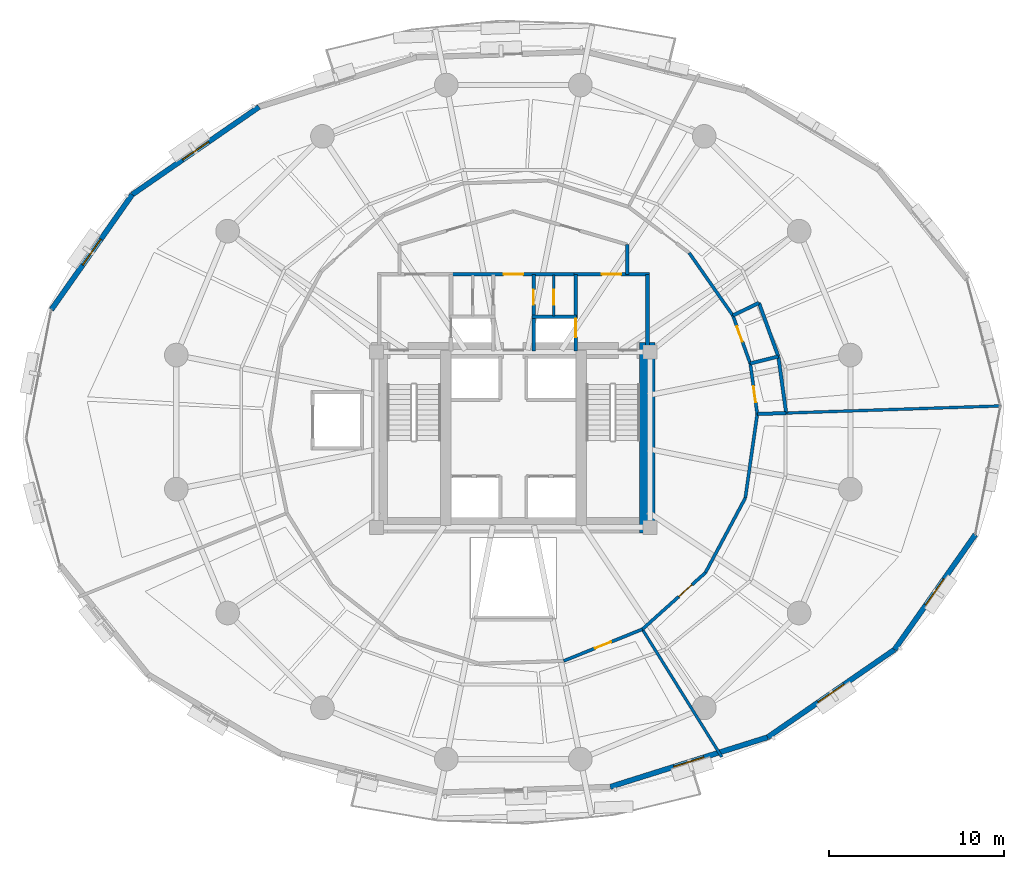
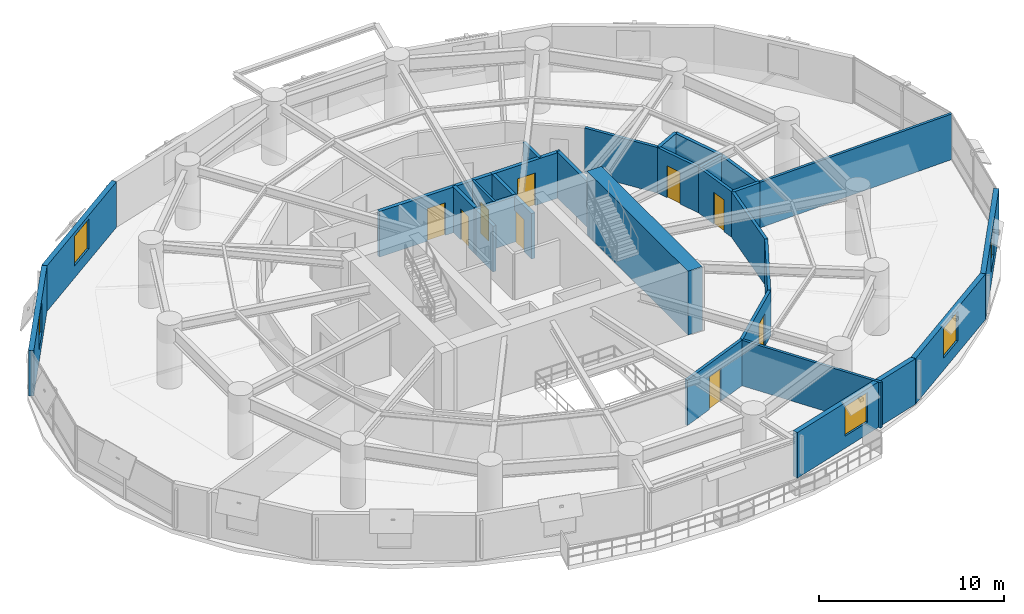
# One storey, part 11 of 15: 28 walls, 9 doors, 5 windows, 14 openings.
"""IFC4 building model written with IfcOpenShell, lengths in metres."""

from ifc_helpers import new_model, si_unit, direction, frame, frame_2d, origin, place, context, subcontext, project, spatial, rectangle, extrude, material, layer, layer_set, type_object, element, fill, save


model = new_model("IFC4")

# Units and contexts
model_context = context("Model", 3, precision=1e-05, world=origin(), true_north=direction((0.0, 1.0)))
body_context = subcontext(model_context, "Body", "Model", "MODEL_VIEW")
ifc_project = project(units=[si_unit("LENGTHUNIT", "METRE"), si_unit("AREAUNIT", "SQUARE_METRE"), si_unit("VOLUMEUNIT", "CUBIC_METRE"), si_unit("PLANEANGLEUNIT", "RADIAN"), si_unit("MASSUNIT", "GRAM", prefix="KILO"), si_unit("THERMODYNAMICTEMPERATUREUNIT", "KELVIN"), si_unit("POWERUNIT", "WATT")], contexts=[model_context])

# Site, building, storey
site_placement = place(None, origin())
site = spatial("IfcSite", under=ifc_project, at=site_placement, CompositionType="ELEMENT")
building_placement = place(site_placement, origin())
building = spatial("IfcBuilding", under=site, at=building_placement, Name="Ocrelia Relay Tower", CompositionType="ELEMENT")
storey_placement = place(building_placement, frame((0.0, 0.0, 38.39990234375)))
storey = spatial("IfcBuildingStorey", under=building, at=storey_placement, Name="L08", CompositionType="ELEMENT", Elevation=38.39990234375)

# Walls
ifc_material_1 = material(Name="Concrete C70/85", Category="concrete")
ifc_layer_1 = layer(ifc_material_1, 0.89990234375, Name="Concrete C70/85")
ifc_layer_set_1 = layer_set([ifc_layer_1], Name="Concrete C70/85")
wall_type_1 = type_object("IfcWallType", Name="CW-CORE-900", PredefinedType="SHEAR", material=ifc_layer_set_1)
wall_1_placement = place(storey_placement, frame((41.637939453125, 19.662109375, 0.0), z_axis=(0.0, 0.0, 1.0), x_axis=(0.0, 1.0, 0.0)))
element("IfcWall", 1, at=wall_1_placement, inside=storey, type_object=wall_type_1, Name="L08 Core Shear Wall E", PredefinedType="SHEAR", context=body_context, shape_type="SweptSolid", body=[
    extrude(rectangle(XDim=10.8759765625, YDim=0.89990234375, at=frame_2d((5.43798828125, 0.0))), origin(), (0.0, 0.0, 1.0), 4.2001953125),
])
ifc_material_2 = material(Name="Gypsum Fireboard Partition EI60", Category="gypsum")
ifc_layer_2 = layer(ifc_material_2, 0.179931640625, Name="Gypsum Fireboard Partition EI60")
ifc_layer_set_2 = layer_set([ifc_layer_2], Name="Gypsum Fireboard Partition EI60")
wall_type_2 = type_object("IfcWallType", Name="W-CORR-EI60-180", PredefinedType="PARTITIONING", material=ifc_layer_set_2)
wall_2_placement = place(storey_placement, frame((40.5, 36.122802734375, 0.0), z_axis=(0.0, 0.0, 1.0), x_axis=(0.0, -1.0, 0.0)))
element("IfcWall", 2, at=wall_2_placement, inside=storey, type_object=wall_type_2, Name="L08 Smoke Lobby East Return", PredefinedType="PARTITIONING", context=body_context, shape_type="SweptSolid", body=[
    extrude(rectangle(XDim=1.69287109375, YDim=0.179931640625, at=frame_2d((0.846435546875, 0.0))), origin(), (0.0, 0.0, 1.0), 3.0),
])

# Wall, opening, door
wall_3_placement = place(storey_placement, frame((47.912353515625, 26.46142578125, 0.0), z_axis=(0.0, 0.0, 1.0), x_axis=(-0.137415192003, 0.990513536004, 0.0)))
wall_3 = element("IfcWall", 3, at=wall_3_placement, inside=storey, type_object=wall_type_2, Name="L08 Staff Toilet Corridor Wall", PredefinedType="PARTITIONING", context=body_context, shape_type="SweptSolid", body=[
    extrude(rectangle(XDim=2.91015625, YDim=0.179931640625, at=frame_2d((1.455078125, 0.0))), origin(), (0.0, 0.0, 1.0), 3.0),
])
opening_1_placement = place(wall_3_placement, frame((0.6689453125, 0.0, 0.0)))
opening_1 = element("IfcOpeningElement", 4, at=opening_1_placement, cuts=wall_3, Name="Opening D-WC92", PredefinedType="OPENING", context=body_context, shape_type="SweptSolid", body=[
    extrude(rectangle(XDim=0.919921875, YDim=2.10009765625, at=frame_2d((0.4599609375, 1.050048828125))), frame((0.0, 0.10009765625, 0.0), z_axis=(0.0, -1.0, 0.0), x_axis=(1.0, 0.0, 0.0)), (0.0, 0.0, 1.0), 0.199951171875),
])
ifc_material_3 = material(Name="Laminate washroom door", Category="wood")
door_type_1 = type_object("IfcDoorType", Name="DR-WC-920", OperationType="NOTDEFINED", PredefinedType="DOOR", material=ifc_material_3)
door_1_placement = place(opening_1_placement, origin())
door_1 = element("IfcDoor", 5, at=door_1_placement, inside=storey, type_object=door_type_1, Name="L08 Staff Toilet Door", OperationType="SINGLE_SWING_RIGHT", OverallHeight=2.10009765625, OverallWidth=0.919921875, PredefinedType="DOOR", context=body_context, shape_type="SweptSolid", body=[
    extrude(rectangle(XDim=0.919921875, YDim=2.10009765625, at=frame_2d((0.4599609375, 1.050048828125))), frame((0.0, 0.02490234375, 0.0), z_axis=(0.0, -1.0, 0.0), x_axis=(1.0, 0.0, 0.0)), (0.0, 0.0, 1.0), 0.050048828125),
])
fill(opening_1, door_1)

wall_4_placement = place(storey_placement, frame((47.512451171875, 29.343994140625, 0.0), z_axis=(0.0, 0.0, 1.0), x_axis=(-0.340435968469, 0.940267701972, 0.0)))
wall_4 = element("IfcWall", 6, at=wall_4_placement, inside=storey, type_object=wall_type_2, Name="L08 Accessible Toilet Corridor Wall", PredefinedType="PARTITIONING", context=body_context, shape_type="SweptSolid", body=[
    extrude(rectangle(XDim=2.91015625, YDim=0.179931640625, at=frame_2d((1.455078125, 0.0))), origin(), (0.0, 0.0, 1.0), 3.0),
])
opening_2_placement = place(wall_4_placement, frame((1.321044921875, 0.0, 0.0)))
opening_2 = element("IfcOpeningElement", 7, at=opening_2_placement, cuts=wall_4, Name="Opening D-WC92", PredefinedType="OPENING", context=body_context, shape_type="SweptSolid", body=[
    extrude(rectangle(XDim=0.919921875, YDim=2.10009765625, at=frame_2d((0.4599609375, 1.050048828125))), frame((0.0, 0.10009765625, 0.0), z_axis=(0.0, -1.0, 0.0), x_axis=(1.0, 0.0, 0.0)), (0.0, 0.0, 1.0), 0.199951171875),
])
door_2_placement = place(opening_2_placement, origin())
door_2 = element("IfcDoor", 8, at=door_2_placement, inside=storey, type_object=door_type_1, Name="L08 Accessible Toilet Door", OperationType="SINGLE_SWING_LEFT", OverallHeight=2.10009765625, OverallWidth=0.919921875, PredefinedType="DOOR", context=body_context, shape_type="SweptSolid", body=[
    extrude(rectangle(XDim=0.919921875, YDim=2.10009765625, at=frame_2d((0.4599609375, 1.050048828125))), frame((0.0, 0.02490234375, 0.0), z_axis=(0.0, -1.0, 0.0), x_axis=(1.0, 0.0, 0.0)), (0.0, 0.0, 1.0), 0.050048828125),
])
fill(opening_2, door_2)

# Wall
wall_5_placement = place(storey_placement, frame((46.521728515625, 32.080322265625, 0.0), z_axis=(0.0, 0.0, 1.0), x_axis=(-0.572144766155, 0.820152648329, 0.0)))
element("IfcWall", 9, at=wall_5_placement, inside=storey, type_object=wall_type_2, Name="L08 Operations Control Office Corridor Partition 1", PredefinedType="PARTITIONING", context=body_context, shape_type="SweptSolid", body=[
    extrude(rectangle(XDim=4.35498046875, YDim=0.179931640625, at=frame_2d((2.177490234375, 0.0))), origin(), (0.0, 0.0, 1.0), 3.0),
])

# Wall, opening, door
wall_6_placement = place(storey_placement, frame((36.870361328125, 12.379150390625, 0.0), z_axis=(0.0, 0.0, 1.0), x_axis=(0.927834482528, 0.37299218897, 0.0)))
wall_6 = element("IfcWall", 10, at=wall_6_placement, inside=storey, type_object=wall_type_2, Name="L08 Hardware Testing Laboratory Corridor Partition 5", PredefinedType="PARTITIONING", context=body_context, shape_type="SweptSolid", body=[
    extrude(rectangle(XDim=4.83447265625, YDim=0.179931640625, at=frame_2d((2.417236328125, 0.0))), origin(), (0.0, 0.0, 1.0), 3.0),
])
opening_3_placement = place(wall_6_placement, frame((1.917236328125, 0.0, 0.0)))
opening_3 = element("IfcOpeningElement", 11, at=opening_3_placement, cuts=wall_6, Name="Opening D-RM100", PredefinedType="OPENING", context=body_context, shape_type="SweptSolid", body=[
    extrude(rectangle(XDim=1.0, YDim=2.14990234375, at=frame_2d((0.5, 1.074951171875))), frame((0.0, 0.10009765625, 0.0), z_axis=(0.0, -1.0, 0.0), x_axis=(1.0, 0.0, 0.0)), (0.0, 0.0, 1.0), 0.199951171875),
])
ifc_material_4 = material(Name="Acoustic oak veneer fire door", Category="wood")
door_type_2 = type_object("IfcDoorType", Name="DR-ROOM-FD60-1000", OperationType="NOTDEFINED", PredefinedType="DOOR", material=ifc_material_4)
door_3_placement = place(opening_3_placement, origin())
door_3 = element("IfcDoor", 12, at=door_3_placement, inside=storey, type_object=door_type_2, Name="L08 Hardware Testing Laboratory Entrance Door", OperationType="SINGLE_SWING_RIGHT", OverallHeight=2.14990234375, OverallWidth=1.0, PredefinedType="DOOR", context=body_context, shape_type="SweptSolid", body=[
    extrude(rectangle(XDim=1.0, YDim=2.14990234375, at=frame_2d((0.5, 1.074951171875))), frame((0.0, 0.02490234375, 0.0), z_axis=(0.0, -1.0, 0.0), x_axis=(1.0, 0.0, 0.0)), (0.0, 0.0, 1.0), 0.050048828125),
])
fill(opening_3, door_3)

wall_7_placement = place(storey_placement, frame((41.35595703125, 14.182373046875, 0.0), z_axis=(0.0, 0.0, 1.0), x_axis=(0.744302787757, 0.667842316821, 0.0)))
wall_7 = element("IfcWall", 13, at=wall_7_placement, inside=storey, type_object=wall_type_2, Name="L08 Telemetry Operations Studio Corridor Partition 1", PredefinedType="PARTITIONING", context=body_context, shape_type="SweptSolid", body=[
    extrude(rectangle(XDim=4.834228515625, YDim=0.179931640625, at=frame_2d((2.4169921875, 0.0))), origin(), (0.0, 0.0, 1.0), 3.0),
])
opening_4_placement = place(wall_7_placement, frame((2.80078125, 0.0, 0.0)))
opening_4 = element("IfcOpeningElement", 14, at=opening_4_placement, cuts=wall_7, Name="Opening D-RM100", PredefinedType="OPENING", context=body_context, shape_type="SweptSolid", body=[
    extrude(rectangle(XDim=1.0, YDim=2.14990234375, at=frame_2d((0.5, 1.074951171875))), frame((0.0, 0.10009765625, 0.0), z_axis=(0.0, -1.0, 0.0), x_axis=(1.0, 0.0, 0.0)), (0.0, 0.0, 1.0), 0.199951171875),
])
door_4_placement = place(opening_4_placement, origin())
door_4 = element("IfcDoor", 15, at=door_4_placement, inside=storey, type_object=door_type_2, Name="L08 Telemetry Operations Studio Entrance Door", OperationType="SINGLE_SWING_LEFT", OverallHeight=2.14990234375, OverallWidth=1.0, PredefinedType="DOOR", context=body_context, shape_type="SweptSolid", body=[
    extrude(rectangle(XDim=1.0, YDim=2.14990234375, at=frame_2d((0.5, 1.074951171875))), frame((0.0, 0.02490234375, 0.0), z_axis=(0.0, -1.0, 0.0), x_axis=(1.0, 0.0, 0.0)), (0.0, 0.0, 1.0), 0.050048828125),
])
fill(opening_4, door_4)

# Walls
wall_8_placement = place(storey_placement, frame((44.9541015625, 17.410888671875, 0.0), z_axis=(0.0, 0.0, 1.0), x_axis=(0.471031159724, 0.882116571984, 0.0)))
element("IfcWall", 16, at=wall_8_placement, inside=storey, type_object=wall_type_2, Name="L08 Telemetry Operations Studio Corridor Partition 2", PredefinedType="PARTITIONING", context=body_context, shape_type="SweptSolid", body=[
    extrude(rectangle(XDim=4.834228515625, YDim=0.179931640625, at=frame_2d((2.4169921875, 0.0))), origin(), (0.0, 0.0, 1.0), 3.0),
])
wall_9_placement = place(storey_placement, frame((47.231201171875, 21.67529296875, 0.0), z_axis=(0.0, 0.0, 1.0), x_axis=(0.140898144809, 0.990024097075, 0.0)))
element("IfcWall", 17, at=wall_9_placement, inside=storey, type_object=wall_type_2, Name="L08 Telemetry Operations Studio Corridor Partition 3", PredefinedType="PARTITIONING", context=body_context, shape_type="SweptSolid", body=[
    extrude(rectangle(XDim=4.83447265625, YDim=0.179931640625, at=frame_2d((2.417236328125, 0.0))), origin(), (0.0, 0.0, 1.0), 3.0),
])

# Wall, opening, window
ifc_material_5 = material(Name="Precast concrete C40/50 with oxide terracotta", Category="masonry")
ifc_layer_3 = layer(ifc_material_5, 0.300048828125, Name="Precast concrete C40/50 with oxide terracotta")
ifc_layer_set_3 = layer_set([ifc_layer_3], Name="Precast concrete C40/50 with oxide terracotta")
wall_type_3 = type_object("IfcWallType", Name="W-EXT-TERR-300", PredefinedType="SOLIDWALL", material=ifc_layer_set_3)
wall_10_placement = place(storey_placement, frame((19.49609375, 43.975341796875, 0.0), z_axis=(0.0, 0.0, 1.0), x_axis=(-0.82276952824, -0.568375143193, 0.0)))
wall_10 = element("IfcWall", 18, at=wall_10_placement, inside=storey, type_object=wall_type_3, Name="L08 Oxide Terracotta Facade Wall 07", PredefinedType="SOLIDWALL", context=body_context, shape_type="SweptSolid", body=[
    extrude(rectangle(XDim=8.792724609375, YDim=0.300048828125, at=frame_2d((4.396484375, 0.0))), origin(), (0.0, 0.0, 1.0), 3.0),
])
opening_5_placement = place(wall_10_placement, frame((3.49609375, 0.0, 0.800048828125)))
opening_5 = element("IfcOpeningElement", 19, at=opening_5_placement, cuts=wall_10, Name="Opening W-02", PredefinedType="OPENING", context=body_context, shape_type="SweptSolid", body=[
    extrude(rectangle(XDim=1.800048828125, YDim=1.949951171875, at=frame_2d((0.89990234375, 0.97509765625))), frame((0.0, 0.16015625, 0.0), z_axis=(0.0, -1.0, 0.0), x_axis=(1.0, 0.0, 0.0)), (0.0, 0.0, 1.0), 0.320068359375),
])
ifc_material_6 = material(Name="Clear double-glazed low-E glass", Category="glass")
window_type = type_object("IfcWindowType", Name="WIN-Z1-1800x2100", PartitioningType="DOUBLE_PANEL_VERTICAL", PredefinedType="WINDOW", material=ifc_material_6)
window_1_placement = place(opening_5_placement, origin())
window_1 = element("IfcWindow", 20, at=window_1_placement, inside=storey, type_object=window_type, Name="L08 Facade Module Window 07", OverallHeight=1.949951171875, OverallWidth=1.800048828125, PartitioningType="SINGLE_PANEL", PredefinedType="WINDOW", context=body_context, shape_type="SweptSolid", body=[
    extrude(rectangle(XDim=1.800048828125, YDim=1.949951171875, at=frame_2d((0.89990234375, 0.97509765625))), frame((0.0, 0.030029296875, 0.0), z_axis=(0.0, -1.0, 0.0), x_axis=(1.0, 0.0, 0.0)), (0.0, 0.0, 1.0), 0.06005859375),
])
fill(opening_5, window_1)

wall_11_placement = place(storey_placement, frame((12.26171875, 38.977783203125, 0.0), z_axis=(0.0, 0.0, 1.0), x_axis=(-0.574985163885, -0.818163835251, 0.0)))
wall_11 = element("IfcWall", 21, at=wall_11_placement, inside=storey, type_object=wall_type_3, Name="L08 Oxide Terracotta Facade Wall 08", PredefinedType="SOLIDWALL", context=body_context, shape_type="SweptSolid", body=[
    extrude(rectangle(XDim=8.021484375, YDim=0.300048828125, at=frame_2d((4.0107421875, 0.0))), origin(), (0.0, 0.0, 1.0), 3.0),
])
opening_6_placement = place(wall_11_placement, frame((3.111083984375, 0.0, 0.800048828125)))
opening_6 = element("IfcOpeningElement", 22, at=opening_6_placement, cuts=wall_11, Name="Opening W-02", PredefinedType="OPENING", context=body_context, shape_type="SweptSolid", body=[
    extrude(rectangle(XDim=1.800048828125, YDim=1.949951171875, at=frame_2d((0.89990234375, 0.97509765625))), frame((0.0, 0.16015625, 0.0), z_axis=(0.0, -1.0, 0.0), x_axis=(1.0, 0.0, 0.0)), (0.0, 0.0, 1.0), 0.320068359375),
])
window_2_placement = place(opening_6_placement, origin())
window_2 = element("IfcWindow", 23, at=window_2_placement, inside=storey, type_object=window_type, Name="L08 Facade Module Window 08", OverallHeight=1.949951171875, OverallWidth=1.800048828125, PartitioningType="SINGLE_PANEL", PredefinedType="WINDOW", context=body_context, shape_type="SweptSolid", body=[
    extrude(rectangle(XDim=1.800048828125, YDim=1.949951171875, at=frame_2d((0.89990234375, 0.97509765625))), frame((0.0, 0.030029296875, 0.0), z_axis=(0.0, -1.0, 0.0), x_axis=(1.0, 0.0, 0.0)), (0.0, 0.0, 1.0), 0.06005859375),
])
fill(opening_6, window_2)

wall_12_placement = place(storey_placement, frame((39.520263671875, 5.1953125, 0.0), z_axis=(0.0, 0.0, 1.0), x_axis=(0.953813909123, 0.300398113782, 0.0)))
wall_12 = element("IfcWall", 24, at=wall_12_placement, inside=storey, type_object=wall_type_3, Name="L08 Oxide Terracotta Facade Wall 15", PredefinedType="SOLIDWALL", context=body_context, shape_type="SweptSolid", body=[
    extrude(rectangle(XDim=9.418701171875, YDim=0.300048828125, at=frame_2d((4.70947265625, 0.0))), origin(), (0.0, 0.0, 1.0), 3.0),
])
opening_7_placement = place(wall_12_placement, frame((3.80908203125, 0.0, 0.800048828125)))
opening_7 = element("IfcOpeningElement", 25, at=opening_7_placement, cuts=wall_12, Name="Opening W-02", PredefinedType="OPENING", context=body_context, shape_type="SweptSolid", body=[
    extrude(rectangle(XDim=1.800048828125, YDim=1.949951171875, at=frame_2d((0.89990234375, 0.97509765625))), frame((0.0, 0.16015625, 0.0), z_axis=(0.0, -1.0, 0.0), x_axis=(1.0, 0.0, 0.0)), (0.0, 0.0, 1.0), 0.320068359375),
])
window_3_placement = place(opening_7_placement, origin())
window_3 = element("IfcWindow", 26, at=window_3_placement, inside=storey, type_object=window_type, Name="L08 Facade Module Window 15", OverallHeight=1.949951171875, OverallWidth=1.800048828125, PartitioningType="SINGLE_PANEL", PredefinedType="WINDOW", context=body_context, shape_type="SweptSolid", body=[
    extrude(rectangle(XDim=1.800048828125, YDim=1.949951171875, at=frame_2d((0.89990234375, 0.97509765625))), frame((0.0, 0.030029296875, 0.0), z_axis=(0.0, -1.0, 0.0), x_axis=(1.0, 0.0, 0.0)), (0.0, 0.0, 1.0), 0.06005859375),
])
fill(opening_7, window_3)

wall_13_placement = place(storey_placement, frame((48.50390625, 8.024658203125, 0.0), z_axis=(0.0, 0.0, 1.0), x_axis=(0.82276952824, 0.568375143193, 0.0)))
wall_13 = element("IfcWall", 27, at=wall_13_placement, inside=storey, type_object=wall_type_3, Name="L08 Oxide Terracotta Facade Wall 16", PredefinedType="SOLIDWALL", context=body_context, shape_type="SweptSolid", body=[
    extrude(rectangle(XDim=8.792724609375, YDim=0.300048828125, at=frame_2d((4.396484375, 0.0))), origin(), (0.0, 0.0, 1.0), 3.0),
])
opening_8_placement = place(wall_13_placement, frame((3.49609375, 0.0, 0.800048828125)))
opening_8 = element("IfcOpeningElement", 28, at=opening_8_placement, cuts=wall_13, Name="Opening W-02", PredefinedType="OPENING", context=body_context, shape_type="SweptSolid", body=[
    extrude(rectangle(XDim=1.800048828125, YDim=1.949951171875, at=frame_2d((0.89990234375, 0.97509765625))), frame((0.0, 0.16015625, 0.0), z_axis=(0.0, -1.0, 0.0), x_axis=(1.0, 0.0, 0.0)), (0.0, 0.0, 1.0), 0.320068359375),
])
window_4_placement = place(opening_8_placement, origin())
window_4 = element("IfcWindow", 29, at=window_4_placement, inside=storey, type_object=window_type, Name="L08 Facade Module Window 16", OverallHeight=1.949951171875, OverallWidth=1.800048828125, PartitioningType="SINGLE_PANEL", PredefinedType="WINDOW", context=body_context, shape_type="SweptSolid", body=[
    extrude(rectangle(XDim=1.800048828125, YDim=1.949951171875, at=frame_2d((0.89990234375, 0.97509765625))), frame((0.0, 0.030029296875, 0.0), z_axis=(0.0, -1.0, 0.0), x_axis=(1.0, 0.0, 0.0)), (0.0, 0.0, 1.0), 0.06005859375),
])
fill(opening_8, window_4)

wall_14_placement = place(storey_placement, frame((55.73828125, 13.022216796875, 0.0), z_axis=(0.0, 0.0, 1.0), x_axis=(0.574985163885, 0.818163835251, 0.0)))
wall_14 = element("IfcWall", 30, at=wall_14_placement, inside=storey, type_object=wall_type_3, Name="L08 Oxide Terracotta Facade Wall 17", PredefinedType="SOLIDWALL", context=body_context, shape_type="SweptSolid", body=[
    extrude(rectangle(XDim=8.021484375, YDim=0.300048828125, at=frame_2d((4.0107421875, 0.0))), origin(), (0.0, 0.0, 1.0), 3.0),
])
opening_9_placement = place(wall_14_placement, frame((3.111083984375, 0.0, 0.800048828125)))
opening_9 = element("IfcOpeningElement", 31, at=opening_9_placement, cuts=wall_14, Name="Opening W-02", PredefinedType="OPENING", context=body_context, shape_type="SweptSolid", body=[
    extrude(rectangle(XDim=1.800048828125, YDim=1.949951171875, at=frame_2d((0.89990234375, 0.97509765625))), frame((0.0, 0.16015625, 0.0), z_axis=(0.0, -1.0, 0.0), x_axis=(1.0, 0.0, 0.0)), (0.0, 0.0, 1.0), 0.320068359375),
])
window_5_placement = place(opening_9_placement, origin())
window_5 = element("IfcWindow", 32, at=window_5_placement, inside=storey, type_object=window_type, Name="L08 Facade Module Window 17", OverallHeight=1.949951171875, OverallWidth=1.800048828125, PartitioningType="SINGLE_PANEL", PredefinedType="WINDOW", context=body_context, shape_type="SweptSolid", body=[
    extrude(rectangle(XDim=1.800048828125, YDim=1.949951171875, at=frame_2d((0.89990234375, 0.97509765625))), frame((0.0, 0.030029296875, 0.0), z_axis=(0.0, -1.0, 0.0), x_axis=(1.0, 0.0, 0.0)), (0.0, 0.0, 1.0), 0.06005859375),
])
fill(opening_9, window_5)

# Wall, opening, door
ifc_material_7 = material(Name="Concrete C50/60", Category="concrete")
ifc_layer_4 = layer(ifc_material_7, 0.219970703125, Name="Concrete C50/60")
ifc_layer_set_4 = layer_set([ifc_layer_4], Name="Concrete C50/60")
wall_type_4 = type_object("IfcWallType", Name="W-FFL-EI120-220", PredefinedType="SOLIDWALL", material=ifc_layer_set_4)
wall_15_placement = place(storey_placement, frame((37.56005859375, 30.050048828125, 0.0), z_axis=(0.0, 0.0, 1.0), x_axis=(0.0, 1.0, 0.0)))
wall_15 = element("IfcWall", 33, at=wall_15_placement, inside=storey, type_object=wall_type_4, Name="L08 E Fire Service Lift Lobby West Wall", PredefinedType="SOLIDWALL", context=body_context, shape_type="SweptSolid", body=[
    extrude(rectangle(XDim=4.3798828125, YDim=0.219970703125, at=frame_2d((2.18994140625, 0.0))), origin(), (0.0, 0.0, 1.0), 3.0),
])
opening_10_placement = place(wall_15_placement, frame((0.800048828125, 0.0, 0.0)))
opening_10 = element("IfcOpeningElement", 34, at=opening_10_placement, cuts=wall_15, Name="Opening LD-FFL2", PredefinedType="OPENING", context=body_context, shape_type="SweptSolid", body=[
    extrude(rectangle(XDim=1.050048828125, YDim=2.10009765625, at=frame_2d((0.52490234375, 1.050048828125))), frame((0.0, 0.1201171875, 0.0), z_axis=(0.0, -1.0, 0.0), x_axis=(1.0, 0.0, 0.0)), (0.0, 0.0, 1.0), 0.239990234375),
])
ifc_material_8 = material(Name="Brushed stainless steel S355 lift landing door", Category="steel")
door_type_3 = type_object("IfcDoorType", Name="DR-LIFT-LAND-1050", OperationType="DOUBLE_DOOR_SLIDING", PredefinedType="USERDEFINED", material=ifc_material_8)
door_5_placement = place(opening_10_placement, origin())
door_5 = element("IfcDoor", 35, at=door_5_placement, inside=storey, type_object=door_type_3, Name="L08 Firefighting Lift FFL2 Sliding Landing Door", ObjectType="LANDING DOOR", OperationType="DOUBLE_DOOR_SLIDING", OverallHeight=2.10009765625, OverallWidth=1.050048828125, PredefinedType="USERDEFINED", context=body_context, shape_type="SweptSolid", body=[
    extrude(rectangle(XDim=1.050048828125, YDim=2.10009765625, at=frame_2d((0.52490234375, 1.050048828125))), frame((0.0, 0.02490234375, 0.0), z_axis=(0.0, -1.0, 0.0), x_axis=(1.0, 0.0, 0.0)), (0.0, 0.0, 1.0), 0.050048828125),
])
fill(opening_10, door_5)

# Wall
wall_16_placement = place(storey_placement, frame((41.64990234375, 30.050048828125, 0.0), z_axis=(0.0, 0.0, 1.0), x_axis=(0.0, 1.0, 0.0)))
element("IfcWall", 36, at=wall_16_placement, inside=storey, type_object=wall_type_4, Name="L08 E Fire Service Lift Lobby East Wall", PredefinedType="SOLIDWALL", context=body_context, shape_type="SweptSolid", body=[
    extrude(rectangle(XDim=4.3798828125, YDim=0.219970703125, at=frame_2d((2.18994140625, 0.0))), origin(), (0.0, 0.0, 1.0), 3.0),
])

# Wall, opening, door
wall_17_placement = place(storey_placement, frame((37.449951171875, 34.429931640625, 0.0), z_axis=(0.0, 0.0, 1.0), x_axis=(1.0, 0.0, 0.0)))
wall_17 = element("IfcWall", 37, at=wall_17_placement, inside=storey, type_object=wall_type_4, Name="L08 E Fire Service Lift Lobby North Wall", PredefinedType="SOLIDWALL", context=body_context, shape_type="SweptSolid", body=[
    extrude(rectangle(XDim=4.31005859375, YDim=0.219970703125, at=frame_2d((2.155029296875, 0.0))), origin(), (0.0, 0.0, 1.0), 3.0),
])
opening_11_placement = place(wall_17_placement, frame((1.60009765625, 0.0, 0.0)))
opening_11 = element("IfcOpeningElement", 38, at=opening_11_placement, cuts=wall_17, Name="Opening D-FD60", PredefinedType="OPENING", context=body_context, shape_type="SweptSolid", body=[
    extrude(rectangle(XDim=1.10009765625, YDim=2.14990234375, at=frame_2d((0.550048828125, 1.074951171875))), frame((0.0, 0.1201171875, 0.0), z_axis=(0.0, -1.0, 0.0), x_axis=(1.0, 0.0, 0.0)), (0.0, 0.0, 1.0), 0.239990234375),
])
ifc_material_9 = material(Name="Timber-core 60-min acoustic fire door", Category="wood")
door_type_4 = type_object("IfcDoorType", Name="DR-LOBBY-FD60-1100", OperationType="NOTDEFINED", PredefinedType="DOOR", material=ifc_material_9)
door_6_placement = place(opening_11_placement, origin())
door_6 = element("IfcDoor", 39, at=door_6_placement, inside=storey, type_object=door_type_4, Name="L08 E Fire Service Lift Lobby Exit Door", OperationType="SINGLE_SWING_LEFT", OverallHeight=2.14990234375, OverallWidth=1.10009765625, PredefinedType="DOOR", context=body_context, shape_type="SweptSolid", body=[
    extrude(rectangle(XDim=1.10009765625, YDim=2.14990234375, at=frame_2d((0.550048828125, 1.074951171875))), frame((0.0, 0.02490234375, 0.0), z_axis=(0.0, -1.0, 0.0), x_axis=(1.0, 0.0, 0.0)), (0.0, 0.0, 1.0), 0.050048828125),
])
fill(opening_11, door_6)

wall_18_placement = place(storey_placement, frame((30.43994140625, 34.429931640625, 0.0), z_axis=(0.0, 0.0, 1.0), x_axis=(1.0, 0.0, 0.0)))
wall_18 = element("IfcWall", 40, at=wall_18_placement, inside=storey, type_object=wall_type_4, Name="L08 North Core Vestibule Wall", PredefinedType="SOLIDWALL", context=body_context, shape_type="SweptSolid", body=[
    extrude(rectangle(XDim=7.1201171875, YDim=0.219970703125, at=frame_2d((3.56005859375, 0.0))), origin(), (0.0, 0.0, 1.0), 3.0),
])
opening_12_placement = place(wall_18_placement, frame((3.010009765625, 0.0, 0.0)))
opening_12 = element("IfcOpeningElement", 41, at=opening_12_placement, cuts=wall_18, Name="Opening D-FD60", PredefinedType="OPENING", context=body_context, shape_type="SweptSolid", body=[
    extrude(rectangle(XDim=1.10009765625, YDim=2.14990234375, at=frame_2d((0.550048828125, 1.074951171875))), frame((0.0, 0.1201171875, 0.0), z_axis=(0.0, -1.0, 0.0), x_axis=(1.0, 0.0, 0.0)), (0.0, 0.0, 1.0), 0.239990234375),
])
door_7_placement = place(opening_12_placement, origin())
door_7 = element("IfcDoor", 42, at=door_7_placement, inside=storey, type_object=door_type_4, Name="L08 North Core Vestibule Corridor Door", OperationType="SINGLE_SWING_LEFT", OverallHeight=2.14990234375, OverallWidth=1.10009765625, PredefinedType="DOOR", context=body_context, shape_type="SweptSolid", body=[
    extrude(rectangle(XDim=1.10009765625, YDim=2.14990234375, at=frame_2d((0.550048828125, 1.074951171875))), frame((0.0, 0.02490234375, 0.0), z_axis=(0.0, -1.0, 0.0), x_axis=(1.0, 0.0, 0.0)), (0.0, 0.0, 1.0), 0.050048828125),
])
fill(opening_12, door_7)

ifc_material_10 = material(Name="Acoustic Fireboard Partition EI60", Category="gypsum")
ifc_layer_5 = layer(ifc_material_10, 0.14990234375, Name="Acoustic Fireboard Partition EI60")
ifc_layer_set_5 = layer_set([ifc_layer_5], Name="Acoustic Fireboard Partition EI60")
wall_type_5 = type_object("IfcWallType", Name="W-PART-150", PredefinedType="PARTITIONING", material=ifc_layer_set_5)
wall_19_placement = place(storey_placement, frame((36.31005859375, 32.050048828125, 0.0), z_axis=(0.0, 0.0, 1.0), x_axis=(0.0, 1.0, 0.0)))
wall_19 = element("IfcWall", 43, at=wall_19_placement, inside=storey, type_object=wall_type_5, Name="L08 East Core Support Partition", PredefinedType="PARTITIONING", context=body_context, shape_type="SweptSolid", body=[
    extrude(rectangle(XDim=2.329833984375, YDim=0.14990234375, at=frame_2d((1.1650390625, 0.0))), origin(), (0.0, 0.0, 1.0), 3.0),
])
opening_13_placement = place(wall_19_placement, frame((0.64990234375, 0.0, 0.0)))
opening_13 = element("IfcOpeningElement", 44, at=opening_13_placement, cuts=wall_19, Name="Opening D-RS86", PredefinedType="OPENING", context=body_context, shape_type="SweptSolid", body=[
    extrude(rectangle(XDim=0.860107421875, YDim=2.050048828125, at=frame_2d((0.43017578125, 1.02490234375))), frame((0.0, 0.0849609375, 0.0), z_axis=(0.0, -1.0, 0.0), x_axis=(1.0, 0.0, 0.0)), (0.0, 0.0, 1.0), 0.169921875),
])
ifc_material_11 = material(Name="Steel S355 riser access fire door", Category="steel")
door_type_5 = type_object("IfcDoorType", Name="DR-RISER-TRAP-860", OperationType="NOTDEFINED", PredefinedType="TRAPDOOR", material=ifc_material_11)
door_8_placement = place(opening_13_placement, origin())
door_8 = element("IfcDoor", 45, at=door_8_placement, inside=storey, type_object=door_type_5, Name="L08 East Core Store Connecting Door", OperationType="SINGLE_SWING_LEFT", OverallHeight=2.050048828125, OverallWidth=0.860107421875, PredefinedType="TRAPDOOR", context=body_context, shape_type="SweptSolid", body=[
    extrude(rectangle(XDim=0.860107421875, YDim=2.050048828125, at=frame_2d((0.43017578125, 1.02490234375))), frame((0.0, 0.02490234375, 0.0), z_axis=(0.0, -1.0, 0.0), x_axis=(1.0, 0.0, 0.0)), (0.0, 0.0, 1.0), 0.050048828125),
])
fill(opening_13, door_8)

# Walls
ifc_layer_6 = layer(ifc_material_10, 0.159912109375, Name="Acoustic Fireboard Partition EI60")
ifc_layer_set_6 = layer_set([ifc_layer_6], Name="Acoustic Fireboard Partition EI60")
wall_type_6 = type_object("IfcWallType", Name="W-PART-160", PredefinedType="PARTITIONING", material=ifc_layer_set_6)
wall_20_placement = place(storey_placement, frame((49.561279296875, 26.51611328125, 0.0), z_axis=(0.0, 0.0, 1.0), x_axis=(0.999450145457, 0.033157303046, 0.0)))
element("IfcWall", 46, at=wall_20_placement, inside=storey, type_object=wall_type_6, Name="L08 Operations Control Office Radial Partition", PredefinedType="PARTITIONING", context=body_context, shape_type="SweptSolid", body=[
    extrude(rectangle(XDim=12.230224609375, YDim=0.159912109375, at=frame_2d((6.115234375, 0.0))), origin(), (0.0, 0.0, 1.0), 3.0),
])
wall_21_placement = place(storey_placement, frame((41.35595703125, 14.182373046875, 0.0), z_axis=(0.0, 0.0, 1.0), x_axis=(0.528423694277, -0.848980800329, 0.0)))
element("IfcWall", 47, at=wall_21_placement, inside=storey, type_object=wall_type_6, Name="L08 Hardware Testing Laboratory Radial Partition", PredefinedType="PARTITIONING", context=body_context, shape_type="SweptSolid", body=[
    extrude(rectangle(XDim=8.57275390625, YDim=0.159912109375, at=frame_2d((4.286376953125, 0.0))), origin(), (0.0, 0.0, 1.0), 3.0),
])
ifc_material_12 = material(Name="Moisture-Resistant Fireboard Chase Wall EI60", Category="gypsum")
ifc_layer_7 = layer(ifc_material_12, 0.199951171875, Name="Moisture-Resistant Fireboard Chase Wall EI60")
ifc_layer_set_7 = layer_set([ifc_layer_7], Name="Moisture-Resistant Fireboard Chase Wall EI60")
wall_type_7 = type_object("IfcWallType", Name="W-PLUMB-200", PredefinedType="PLUMBINGWALL", material=ifc_layer_set_7)
for number, where, z_axis, x_axis, name in (
    (48, (47.912353515625, 26.46142578125, 0.0), (0.0, 0.0, 1.0), (0.999450477054, 0.033147306316, 0.0), "L08 Staff Toilet Plumbing Radial Wall"),
    (49, (47.512451171875, 29.343994140625, 0.0), (0.0, 0.0, 1.0), (0.970697012563, 0.240306699452, 0.0), "L08 Staff Toilet Plumbing Radial Wall"),
):
    element("IfcWall", number, at=place(storey_placement, frame(where, z_axis=z_axis, x_axis=x_axis)), inside=storey, type_object=wall_type_7, Name=name, PredefinedType="PLUMBINGWALL", context=body_context, shape_type="SweptSolid", body=[
        extrude(rectangle(XDim=1.64990234375, YDim=0.199951171875, at=frame_2d((0.824951171875, 0.0))), origin(), (0.0, 0.0, 1.0), 3.0),
    ])
wall_22_placement = place(storey_placement, frame((49.561279296875, 26.51611328125, 0.0), z_axis=(0.0, 0.0, 1.0), x_axis=(-0.13739872662, 0.990515820128, 0.0)))
element("IfcWall", 50, at=wall_22_placement, inside=storey, type_object=wall_type_7, Name="L08 Staff Toilet Back Plumbing Wall", PredefinedType="PLUMBINGWALL", context=body_context, shape_type="SweptSolid", body=[
    extrude(rectangle(XDim=3.255126953125, YDim=0.199951171875, at=frame_2d((1.62744140625, 0.0))), origin(), (0.0, 0.0, 1.0), 3.0),
])
wall_23_placement = place(storey_placement, frame((46.521728515625, 32.080322265625, 0.0), z_axis=(0.0, 0.0, 1.0), x_axis=(0.899574601485, 0.436767142037, 0.0)))
element("IfcWall", 51, at=wall_23_placement, inside=storey, type_object=wall_type_7, Name="L08 Accessible Toilet Plumbing Radial Wall", PredefinedType="PLUMBINGWALL", context=body_context, shape_type="SweptSolid", body=[
    extrude(rectangle(XDim=1.650146484375, YDim=0.199951171875, at=frame_2d((0.8251953125, 0.0))), origin(), (0.0, 0.0, 1.0), 3.0),
])
wall_24_placement = place(storey_placement, frame((49.114013671875, 29.740478515625, 0.0), z_axis=(0.0, 0.0, 1.0), x_axis=(-0.340381629305, 0.940287374387, 0.0)))
element("IfcWall", 52, at=wall_24_placement, inside=storey, type_object=wall_type_7, Name="L08 Accessible Toilet Back Plumbing Wall", PredefinedType="PLUMBINGWALL", context=body_context, shape_type="SweptSolid", body=[
    extrude(rectangle(XDim=3.2548828125, YDim=0.199951171875, at=frame_2d((1.62744140625, 0.0))), origin(), (0.0, 0.0, 1.0), 3.0),
])
ifc_layer_8 = layer(ifc_material_7, 0.199951171875, Name="Concrete C50/60")
ifc_layer_set_8 = layer_set([ifc_layer_8], Name="Concrete C50/60")
wall_type_8 = type_object("IfcWallType", Name="W-SHAFT-EI120-200", PredefinedType="SOLIDWALL", material=ifc_layer_set_8)
wall_25_placement = place(storey_placement, frame((35.050048828125, 32.0, 0.0), z_axis=(0.0, 0.0, 1.0), x_axis=(1.0, 0.0, 0.0)))
element("IfcWall", 53, at=wall_25_placement, inside=storey, type_object=wall_type_8, Name="L08 FFL2 Hoistway North Wall", PredefinedType="SOLIDWALL", context=body_context, shape_type="SweptSolid", body=[
    extrude(rectangle(XDim=2.550048828125, YDim=0.199951171875, at=frame_2d((1.27490234375, 0.0))), origin(), (0.0, 0.0, 1.0), 3.0),
])

# Wall, opening, door
wall_26_placement = place(storey_placement, frame((35.14990234375, 30.050048828125, 0.0), z_axis=(0.0, 0.0, 1.0), x_axis=(0.0, 1.0, 0.0)))
wall_26 = element("IfcWall", 54, at=wall_26_placement, inside=storey, type_object=wall_type_8, Name="L08 FFL2 and Service Vestibule Wall", PredefinedType="SOLIDWALL", context=body_context, shape_type="SweptSolid", body=[
    extrude(rectangle(XDim=4.3798828125, YDim=0.199951171875, at=frame_2d((2.18994140625, 0.0))), origin(), (0.0, 0.0, 1.0), 3.0),
])
opening_14_placement = place(wall_26_placement, frame((2.64990234375, 0.0, 0.0)))
opening_14 = element("IfcOpeningElement", 55, at=opening_14_placement, cuts=wall_26, Name="Opening D-RS86", PredefinedType="OPENING", context=body_context, shape_type="SweptSolid", body=[
    extrude(rectangle(XDim=0.860107421875, YDim=2.050048828125, at=frame_2d((0.43017578125, 1.02490234375))), frame((0.0, 0.10986328125, 0.0), z_axis=(0.0, -1.0, 0.0), x_axis=(1.0, 0.0, 0.0)), (0.0, 0.0, 1.0), 0.219970703125),
])
door_9_placement = place(opening_14_placement, origin())
door_9 = element("IfcDoor", 56, at=door_9_placement, inside=storey, type_object=door_type_5, Name="L08 Core Support Room E Door", OperationType="SINGLE_SWING_RIGHT", OverallHeight=2.050048828125, OverallWidth=0.860107421875, PredefinedType="TRAPDOOR", context=body_context, shape_type="SweptSolid", body=[
    extrude(rectangle(XDim=0.860107421875, YDim=2.050048828125, at=frame_2d((0.43017578125, 1.02490234375))), frame((0.0, 0.02490234375, 0.0), z_axis=(0.0, -1.0, 0.0), x_axis=(1.0, 0.0, 0.0)), (0.0, 0.0, 1.0), 0.050048828125),
])
fill(opening_14, door_9)

save(model, "model.ifc")
